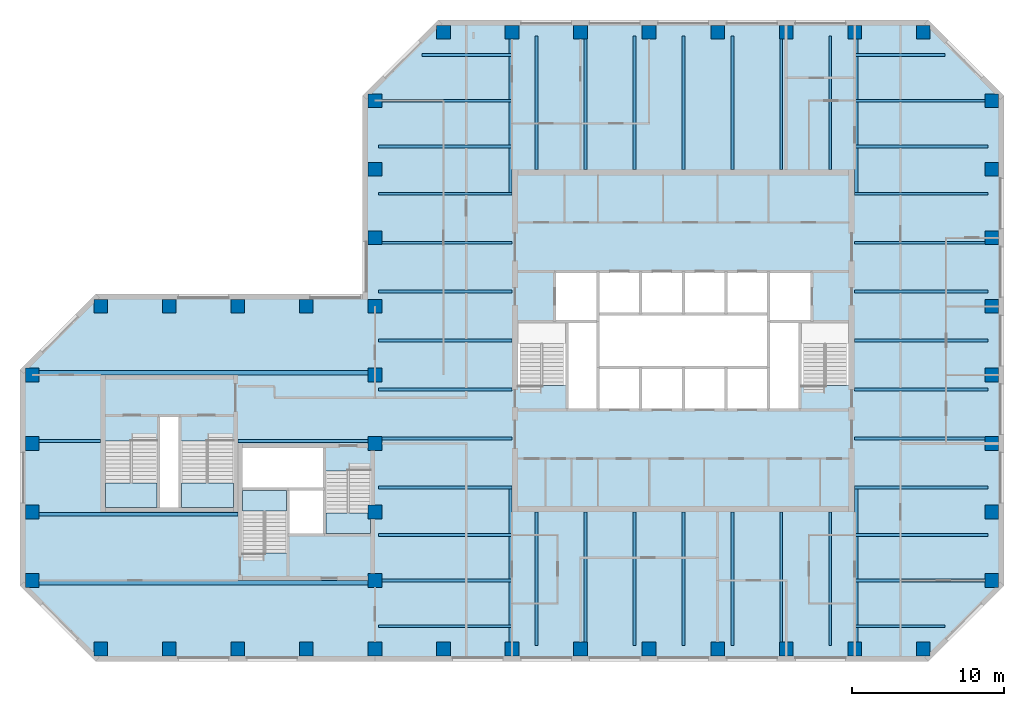
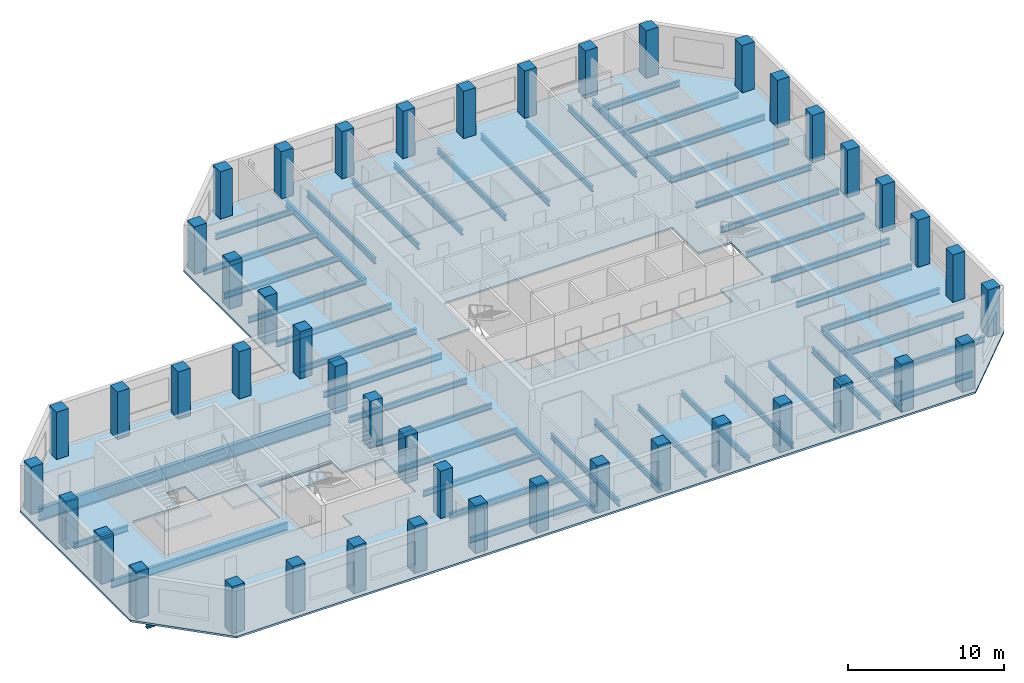
# One storey, part 1 of 8: 49 beams, 45 columns, 5 slabs, 4 elements without a shape of their own.
"""IFC4 building model written with IfcOpenShell, lengths in metres."""

from ifc_helpers import new_model, si_unit, direction, frame, origin, origin_2d, place, context, subcontext, project, spatial, polyline, rectangle, i_section, outline, extrude, material, layer, layer_set, material_profile, profile_set, type_object, element, aggregate, save


model = new_model("IFC4")

# Units and contexts
model_context = context("Model", 3, precision=1e-05, world=origin(), true_north=direction((0.0, 1.0)))
body_context = subcontext(model_context, "Body", "Model", "MODEL_VIEW")
ifc_project = project(units=[si_unit("LENGTHUNIT", "METRE"), si_unit("AREAUNIT", "SQUARE_METRE"), si_unit("VOLUMEUNIT", "CUBIC_METRE"), si_unit("PLANEANGLEUNIT", "RADIAN"), si_unit("MASSUNIT", "GRAM", prefix="KILO")], contexts=[model_context])

# Site, building, storey
site_placement = place(None, origin())
site = spatial("IfcSite", under=ifc_project, at=site_placement, CompositionType="ELEMENT")
building_placement = place(site_placement, origin())
building = spatial("IfcBuilding", under=site, at=building_placement, Name="Quoin Convention Tower", CompositionType="ELEMENT")
storey_placement = place(building_placement, frame((0.0, 0.0, 211.89990234375)))
storey = spatial("IfcBuildingStorey", under=building, at=storey_placement, Name="L55", CompositionType="ELEMENT", Elevation=211.89990234375)

# Columns
ifc_material_1 = material(Name="Concrete C50", Category="concrete")
ifc_material_profile_1 = material_profile(ifc_material_1, rectangle(XDim=0.89990234375, YDim=0.89990234375, at=origin_2d()), Name="RC 900x900")
ifc_profile_set_1 = profile_set([ifc_material_profile_1], Name="Concrete C50")
column_type = type_object("IfcColumnType", Name="RC 900x900 C50", PredefinedType="COLUMN", material=ifc_profile_set_1)
for number, where, z_axis, x_axis, name in (
    (1, (18.0, 40.5, 0.0), (0.0, 0.0, 1.0), (1.0, 0.0, 0.0), "col-L55-18000_40500"),
    (2, (22.5, 40.5, 0.0), (0.0, 0.0, 1.0), (1.0, 0.0, 0.0), "col-L55-22500_40500"),
    (3, (27.0, 40.5, 0.0), (0.0, 0.0, 1.0), (1.0, 0.0, 0.0), "col-L55-27000_40500"),
    (4, (31.5, 40.5, 0.0), (0.0, 0.0, 1.0), (1.0, 0.0, 0.0), "col-L55-31500_40500"),
    (5, (36.0, 40.5, 0.0), (0.0, 0.0, 1.0), (1.0, 0.0, 0.0), "col-L55-36000_40500"),
    (6, (40.5, 40.5, 0.0), (0.0, 0.0, 1.0), (1.0, 0.0, 0.0), "col-L55-40500_40500"),
    (7, (45.0, 40.5, 0.0), (0.0, 0.0, 1.0), (1.0, 0.0, 0.0), "col-L55-45000_40500"),
    (8, (49.5, 40.5, 0.0), (0.0, 0.0, 1.0), (1.0, 0.0, 0.0), "col-L55-49500_40500"),
    (9, (54.0, 40.5, 0.0), (0.0, 0.0, 1.0), (1.0, 0.0, 0.0), "col-L55-54000_40500"),
    (10, (58.5, 40.5, 0.0), (0.0, 0.0, 1.0), (1.0, 0.0, 0.0), "col-L55-58500_40500"),
    (11, (63.0, 40.5, 0.0), (0.0, 0.0, 1.0), (1.0, 0.0, 0.0), "col-L55-63000_40500"),
    (12, (67.5, 40.5, 0.0), (0.0, 0.0, 1.0), (1.0, 0.0, 0.0), "col-L55-67500_40500"),
    (13, (72.0, 40.5, 0.0), (0.0, 0.0, 1.0), (1.0, 0.0, 0.0), "col-L55-72000_40500"),
    (14, (13.5, 45.0, 0.0), (0.0, 0.0, 1.0), (1.0, 0.0, 0.0), "col-L55-13500_45000"),
    (15, (36.0, 45.0, 0.0), (0.0, 0.0, 1.0), (1.0, 0.0, 0.0), "web-L55-36000_45000"),
    (16, (76.5, 45.0, 0.0), (0.0, 0.0, 1.0), (1.0, 0.0, 0.0), "col-L55-76500_45000"),
    (17, (13.5, 49.5, 0.0), (0.0, 0.0, 1.0), (1.0, 0.0, 0.0), "col-L55-13500_49500"),
    (18, (36.0, 49.5, 0.0), (0.0, 0.0, 1.0), (1.0, 0.0, 0.0), "web-L55-36000_49500"),
    (19, (76.5, 49.5, 0.0), (0.0, 0.0, 1.0), (1.0, 0.0, 0.0), "col-L55-76500_49500"),
    (20, (13.5, 54.0, 0.0), (0.0, 0.0, 1.0), (1.0, 0.0, 0.0), "col-L55-13500_54000"),
    (21, (36.0, 54.0, 0.0), (0.0, 0.0, 1.0), (1.0, 0.0, 0.0), "web-L55-36000_54000"),
    (22, (76.5, 54.0, 0.0), (0.0, 0.0, 1.0), (1.0, 0.0, 0.0), "col-L55-76500_54000"),
    (23, (13.5, 58.5, 0.0), (0.0, 0.0, 1.0), (1.0, 0.0, 0.0), "col-L55-13500_58500"),
    (24, (36.0, 58.5, 0.0), (0.0, 0.0, 1.0), (1.0, 0.0, 0.0), "web-L55-36000_58500"),
    (25, (76.5, 58.5, 0.0), (0.0, 0.0, 1.0), (1.0, 0.0, 0.0), "col-L55-76500_58500"),
    (26, (18.0, 63.0, 0.0), (0.0, 0.0, 1.0), (1.0, 0.0, 0.0), "col-L55-18000_63000"),
    (27, (22.5, 63.0, 0.0), (0.0, 0.0, 1.0), (1.0, 0.0, 0.0), "col-L55-22500_63000"),
    (28, (27.0, 63.0, 0.0), (0.0, 0.0, 1.0), (1.0, 0.0, 0.0), "col-L55-27000_63000"),
    (29, (31.5, 63.0, 0.0), (0.0, 0.0, 1.0), (1.0, 0.0, 0.0), "col-L55-31500_63000"),
    (30, (36.0, 63.0, 0.0), (0.0, 0.0, 1.0), (1.0, 0.0, 0.0), "col-L55-36000_63000"),
    (31, (76.5, 63.0, 0.0), (0.0, 0.0, 1.0), (1.0, 0.0, 0.0), "col-L55-76500_63000"),
    (32, (36.0, 67.5, 0.0), (0.0, 0.0, 1.0), (1.0, 0.0, 0.0), "col-L55-36000_67500"),
    (33, (76.5, 67.5, 0.0), (0.0, 0.0, 1.0), (1.0, 0.0, 0.0), "col-L55-76500_67500"),
    (34, (36.0, 72.0, 0.0), (0.0, 0.0, 1.0), (1.0, 0.0, 0.0), "col-L55-36000_72000"),
    (35, (76.5, 72.0, 0.0), (0.0, 0.0, 1.0), (1.0, 0.0, 0.0), "col-L55-76500_72000"),
    (36, (36.0, 76.5, 0.0), (0.0, 0.0, 1.0), (1.0, 0.0, 0.0), "col-L55-36000_76500"),
    (37, (76.5, 76.5, 0.0), (0.0, 0.0, 1.0), (1.0, 0.0, 0.0), "col-L55-76500_76500"),
    (38, (40.5, 81.0, 0.0), (0.0, 0.0, 1.0), (1.0, 0.0, 0.0), "col-L55-40500_81000"),
    (39, (45.0, 81.0, 0.0), (0.0, 0.0, 1.0), (1.0, 0.0, 0.0), "col-L55-45000_81000"),
    (40, (49.5, 81.0, 0.0), (0.0, 0.0, 1.0), (1.0, 0.0, 0.0), "col-L55-49500_81000"),
    (41, (54.0, 81.0, 0.0), (0.0, 0.0, 1.0), (1.0, 0.0, 0.0), "col-L55-54000_81000"),
    (42, (58.5, 81.0, 0.0), (0.0, 0.0, 1.0), (1.0, 0.0, 0.0), "col-L55-58500_81000"),
    (43, (63.0, 81.0, 0.0), (0.0, 0.0, 1.0), (1.0, 0.0, 0.0), "col-L55-63000_81000"),
    (44, (67.5, 81.0, 0.0), (0.0, 0.0, 1.0), (1.0, 0.0, 0.0), "col-L55-67500_81000"),
    (45, (72.0, 81.0, 0.0), (0.0, 0.0, 1.0), (1.0, 0.0, 0.0), "col-L55-72000_81000"),
):
    element("IfcColumn", number, at=place(storey_placement, frame(where, z_axis=z_axis, x_axis=x_axis)), inside=storey, type_object=column_type, Name=name, PredefinedType="COLUMN", context=body_context, shape_type="SweptSolid", body=[
        extrude(rectangle(XDim=0.89990234375, YDim=0.89990234375, at=origin_2d()), origin(), (0.0, 0.0, 1.0), 3.7001953125),
    ])

# Beams
ifc_material_2 = material(Name="Steel Grade 300", Category="steel")
ifc_material_profile_2 = material_profile(ifc_material_2, i_section(OverallWidth=0.300048828125, OverallDepth=1.0, WebThickness=0.01611328125, FlangeThickness=0.02001953125, at=origin_2d()), Name="1000WB215")
ifc_profile_set_2 = profile_set([ifc_material_profile_2], Name="Steel Grade 300")
beam_type_1 = type_object("IfcBeamType", Name="1000WB215", PredefinedType="BEAM", material=ifc_profile_set_2)
for number, where, z_axis, x_axis, name in (
    (46, (13.949951171875, 44.85009765625, -0.64990234375), (1.0, 0.0, 0.0), (0.0, 1.0, 0.0), "gir-L55-ST2-1-0"),
    (47, (13.949951171875, 58.64990234375, -0.64990234375), (1.0, 0.0, 0.0), (0.0, 1.0, 0.0), "gir-L55-ST2-4-0"),
):
    element("IfcBeam", number, at=place(storey_placement, frame(where, z_axis=z_axis, x_axis=x_axis)), inside=storey, type_object=beam_type_1, Name=name, PredefinedType="BEAM", context=body_context, shape_type="SweptSolid", body=[
        extrude(i_section(OverallWidth=0.300048828125, OverallDepth=1.0, WebThickness=0.01611328125, FlangeThickness=0.02001953125, at=origin_2d()), origin(), (0.0, 0.0, 1.0), 21.60009765625),
    ])
ifc_material_profile_3 = material_profile(ifc_material_2, i_section(OverallWidth=0.18994140625, OverallDepth=0.4541015625, WebThickness=0.008544921875, FlangeThickness=0.0126953125, FilletRadius=0.011474609375, at=origin_2d()), Name="460UB67.1")
ifc_profile_set_3 = profile_set([ifc_material_profile_3], Name="Steel Grade 300")
beam_type_2 = type_object("IfcBeamType", Name="460UB67.1", PredefinedType="BEAM", material=ifc_profile_set_3)
beam_1_placement = place(storey_placement, frame((36.25, 51.107177734375, -0.376953125), z_axis=(1.0, 0.0, 0.0), x_axis=(0.0, 1.0, 0.0)))
element("IfcBeam", 48, at=beam_1_placement, inside=storey, type_object=beam_type_2, Name="bm-L55-T1W0", PredefinedType="BEAM", context=body_context, shape_type="SweptSolid", body=[
    extrude(i_section(OverallWidth=0.18994140625, OverallDepth=0.4541015625, WebThickness=0.008544921875, FlangeThickness=0.0126953125, FilletRadius=0.011474609375, at=origin_2d()), origin(), (0.0, 0.0, 1.0), 8.75),
])
beam_2_placement = place(storey_placement, frame((36.449951171875, 54.3212890625, -0.376953125), z_axis=(1.0, 0.0, 0.0), x_axis=(0.0, 1.0, 0.0)))
element("IfcBeam", 49, at=beam_2_placement, inside=storey, type_object=beam_type_2, Name="bm-L55-T1W1", PredefinedType="BEAM", context=body_context, shape_type="SweptSolid", body=[
    extrude(i_section(OverallWidth=0.18994140625, OverallDepth=0.4541015625, WebThickness=0.008544921875, FlangeThickness=0.0126953125, FilletRadius=0.011474609375, at=origin_2d()), origin(), (0.0, 0.0, 1.0), 8.550048828125),
])
for number, where, z_axis, x_axis, name in (
    (50, (36.25, 57.53564453125, -0.376953125), (1.0, 0.0, 0.0), (0.0, 1.0, 0.0), "bm-L55-T1W2"),
    (51, (36.25, 60.75, -0.376953125), (1.0, 0.0, 0.0), (0.0, 1.0, 0.0), "bm-L55-T1W3"),
    (52, (36.25, 63.96435546875, -0.376953125), (1.0, 0.0, 0.0), (0.0, 1.0, 0.0), "bm-L55-T1W4"),
):
    element("IfcBeam", number, at=place(storey_placement, frame(where, z_axis=z_axis, x_axis=x_axis)), inside=storey, type_object=beam_type_2, Name=name, PredefinedType="BEAM", context=body_context, shape_type="SweptSolid", body=[
        extrude(i_section(OverallWidth=0.18994140625, OverallDepth=0.4541015625, WebThickness=0.008544921875, FlangeThickness=0.0126953125, FilletRadius=0.011474609375, at=origin_2d()), origin(), (0.0, 0.0, 1.0), 8.75),
    ])
beam_3_placement = place(storey_placement, frame((36.449951171875, 67.1787109375, -0.376953125), z_axis=(1.0, 0.0, 0.0), x_axis=(0.0, 1.0, 0.0)))
element("IfcBeam", 53, at=beam_3_placement, inside=storey, type_object=beam_type_2, Name="bm-L55-T1W5", PredefinedType="BEAM", context=body_context, shape_type="SweptSolid", body=[
    extrude(i_section(OverallWidth=0.18994140625, OverallDepth=0.4541015625, WebThickness=0.008544921875, FlangeThickness=0.0126953125, FilletRadius=0.011474609375, at=origin_2d()), origin(), (0.0, 0.0, 1.0), 8.550048828125),
])
for number, where, z_axis, x_axis, name in (
    (54, (36.25, 70.392822265625, -0.376953125), (1.0, 0.0, 0.0), (0.0, 1.0, 0.0), "bm-L55-T1W6"),
    (55, (67.5, 51.107177734375, -0.376953125), (1.0, 0.0, 0.0), (0.0, 1.0, 0.0), "bm-L55-T1E0"),
):
    element("IfcBeam", number, at=place(storey_placement, frame(where, z_axis=z_axis, x_axis=x_axis)), inside=storey, type_object=beam_type_2, Name=name, PredefinedType="BEAM", context=body_context, shape_type="SweptSolid", body=[
        extrude(i_section(OverallWidth=0.18994140625, OverallDepth=0.4541015625, WebThickness=0.008544921875, FlangeThickness=0.0126953125, FilletRadius=0.011474609375, at=origin_2d()), origin(), (0.0, 0.0, 1.0), 8.75),
    ])
beam_4_placement = place(storey_placement, frame((67.5, 54.3212890625, -0.376953125), z_axis=(1.0, 0.0, 0.0), x_axis=(0.0, 1.0, 0.0)))
element("IfcBeam", 56, at=beam_4_placement, inside=storey, type_object=beam_type_2, Name="bm-L55-T1E1", PredefinedType="BEAM", context=body_context, shape_type="SweptSolid", body=[
    extrude(i_section(OverallWidth=0.18994140625, OverallDepth=0.4541015625, WebThickness=0.008544921875, FlangeThickness=0.0126953125, FilletRadius=0.011474609375, at=origin_2d()), origin(), (0.0, 0.0, 1.0), 8.550048828125),
])
for number, where, z_axis, x_axis, name in (
    (57, (67.5, 57.53564453125, -0.376953125), (1.0, 0.0, 0.0), (0.0, 1.0, 0.0), "bm-L55-T1E2"),
    (58, (67.5, 60.75, -0.376953125), (1.0, 0.0, 0.0), (0.0, 1.0, 0.0), "bm-L55-T1E3"),
    (59, (67.5, 63.96435546875, -0.376953125), (1.0, 0.0, 0.0), (0.0, 1.0, 0.0), "bm-L55-T1E4"),
):
    element("IfcBeam", number, at=place(storey_placement, frame(where, z_axis=z_axis, x_axis=x_axis)), inside=storey, type_object=beam_type_2, Name=name, PredefinedType="BEAM", context=body_context, shape_type="SweptSolid", body=[
        extrude(i_section(OverallWidth=0.18994140625, OverallDepth=0.4541015625, WebThickness=0.008544921875, FlangeThickness=0.0126953125, FilletRadius=0.011474609375, at=origin_2d()), origin(), (0.0, 0.0, 1.0), 8.75),
    ])
beam_5_placement = place(storey_placement, frame((67.5, 67.1787109375, -0.376953125), z_axis=(1.0, 0.0, 0.0), x_axis=(0.0, 1.0, 0.0)))
element("IfcBeam", 60, at=beam_5_placement, inside=storey, type_object=beam_type_2, Name="bm-L55-T1E5", PredefinedType="BEAM", context=body_context, shape_type="SweptSolid", body=[
    extrude(i_section(OverallWidth=0.18994140625, OverallDepth=0.4541015625, WebThickness=0.008544921875, FlangeThickness=0.0126953125, FilletRadius=0.011474609375, at=origin_2d()), origin(), (0.0, 0.0, 1.0), 8.550048828125),
])
for number, where, z_axis, x_axis, name in (
    (61, (67.5, 70.392822265625, -0.376953125), (1.0, 0.0, 0.0), (0.0, 1.0, 0.0), "bm-L55-T1E6"),
    (62, (46.607177734375, 40.75, -0.376953125), (0.0, 1.0, 0.0), (-1.0, 0.0, 0.0), "bm-L55-T1S0"),
):
    element("IfcBeam", number, at=place(storey_placement, frame(where, z_axis=z_axis, x_axis=x_axis)), inside=storey, type_object=beam_type_2, Name=name, PredefinedType="BEAM", context=body_context, shape_type="SweptSolid", body=[
        extrude(i_section(OverallWidth=0.18994140625, OverallDepth=0.4541015625, WebThickness=0.008544921875, FlangeThickness=0.0126953125, FilletRadius=0.011474609375, at=origin_2d()), origin(), (0.0, 0.0, 1.0), 8.75),
    ])
beam_6_placement = place(storey_placement, frame((49.8212890625, 40.949951171875, -0.376953125), z_axis=(0.0, 1.0, 0.0), x_axis=(-1.0, 0.0, 0.0)))
element("IfcBeam", 63, at=beam_6_placement, inside=storey, type_object=beam_type_2, Name="bm-L55-T1S1", PredefinedType="BEAM", context=body_context, shape_type="SweptSolid", body=[
    extrude(i_section(OverallWidth=0.18994140625, OverallDepth=0.4541015625, WebThickness=0.008544921875, FlangeThickness=0.0126953125, FilletRadius=0.011474609375, at=origin_2d()), origin(), (0.0, 0.0, 1.0), 8.550048828125),
])
for number, where, z_axis, x_axis, name in (
    (64, (53.03564453125, 40.75, -0.376953125), (0.0, 1.0, 0.0), (-1.0, 0.0, 0.0), "bm-L55-T1S2"),
    (65, (56.25, 40.75, -0.376953125), (0.0, 1.0, 0.0), (-1.0, 0.0, 0.0), "bm-L55-T1S3"),
    (66, (59.46435546875, 40.75, -0.376953125), (0.0, 1.0, 0.0), (-1.0, 0.0, 0.0), "bm-L55-T1S4"),
):
    element("IfcBeam", number, at=place(storey_placement, frame(where, z_axis=z_axis, x_axis=x_axis)), inside=storey, type_object=beam_type_2, Name=name, PredefinedType="BEAM", context=body_context, shape_type="SweptSolid", body=[
        extrude(i_section(OverallWidth=0.18994140625, OverallDepth=0.4541015625, WebThickness=0.008544921875, FlangeThickness=0.0126953125, FilletRadius=0.011474609375, at=origin_2d()), origin(), (0.0, 0.0, 1.0), 8.75),
    ])
beam_7_placement = place(storey_placement, frame((62.6787109375, 40.949951171875, -0.376953125), z_axis=(0.0, 1.0, 0.0), x_axis=(-1.0, 0.0, 0.0)))
element("IfcBeam", 67, at=beam_7_placement, inside=storey, type_object=beam_type_2, Name="bm-L55-T1S5", PredefinedType="BEAM", context=body_context, shape_type="SweptSolid", body=[
    extrude(i_section(OverallWidth=0.18994140625, OverallDepth=0.4541015625, WebThickness=0.008544921875, FlangeThickness=0.0126953125, FilletRadius=0.011474609375, at=origin_2d()), origin(), (0.0, 0.0, 1.0), 8.550048828125),
])
for number, where, z_axis, x_axis, name in (
    (68, (65.892822265625, 40.75, -0.376953125), (0.0, 1.0, 0.0), (-1.0, 0.0, 0.0), "bm-L55-T1S6"),
    (69, (46.607177734375, 72.0, -0.376953125), (0.0, 1.0, 0.0), (-1.0, 0.0, 0.0), "bm-L55-T1N0"),
):
    element("IfcBeam", number, at=place(storey_placement, frame(where, z_axis=z_axis, x_axis=x_axis)), inside=storey, type_object=beam_type_2, Name=name, PredefinedType="BEAM", context=body_context, shape_type="SweptSolid", body=[
        extrude(i_section(OverallWidth=0.18994140625, OverallDepth=0.4541015625, WebThickness=0.008544921875, FlangeThickness=0.0126953125, FilletRadius=0.011474609375, at=origin_2d()), origin(), (0.0, 0.0, 1.0), 8.75),
    ])
beam_8_placement = place(storey_placement, frame((49.8212890625, 72.0, -0.376953125), z_axis=(0.0, 1.0, 0.0), x_axis=(-1.0, 0.0, 0.0)))
element("IfcBeam", 70, at=beam_8_placement, inside=storey, type_object=beam_type_2, Name="bm-L55-T1N1", PredefinedType="BEAM", context=body_context, shape_type="SweptSolid", body=[
    extrude(i_section(OverallWidth=0.18994140625, OverallDepth=0.4541015625, WebThickness=0.008544921875, FlangeThickness=0.0126953125, FilletRadius=0.011474609375, at=origin_2d()), origin(), (0.0, 0.0, 1.0), 8.550048828125),
])
for number, where, z_axis, x_axis, name in (
    (71, (53.03564453125, 72.0, -0.376953125), (0.0, 1.0, 0.0), (-1.0, 0.0, 0.0), "bm-L55-T1N2"),
    (72, (56.25, 72.0, -0.376953125), (0.0, 1.0, 0.0), (-1.0, 0.0, 0.0), "bm-L55-T1N3"),
    (73, (59.46435546875, 72.0, -0.376953125), (0.0, 1.0, 0.0), (-1.0, 0.0, 0.0), "bm-L55-T1N4"),
):
    element("IfcBeam", number, at=place(storey_placement, frame(where, z_axis=z_axis, x_axis=x_axis)), inside=storey, type_object=beam_type_2, Name=name, PredefinedType="BEAM", context=body_context, shape_type="SweptSolid", body=[
        extrude(i_section(OverallWidth=0.18994140625, OverallDepth=0.4541015625, WebThickness=0.008544921875, FlangeThickness=0.0126953125, FilletRadius=0.011474609375, at=origin_2d()), origin(), (0.0, 0.0, 1.0), 8.75),
    ])
beam_9_placement = place(storey_placement, frame((62.6787109375, 72.0, -0.376953125), z_axis=(0.0, 1.0, 0.0), x_axis=(-1.0, 0.0, 0.0)))
element("IfcBeam", 74, at=beam_9_placement, inside=storey, type_object=beam_type_2, Name="bm-L55-T1N5", PredefinedType="BEAM", context=body_context, shape_type="SweptSolid", body=[
    extrude(i_section(OverallWidth=0.18994140625, OverallDepth=0.4541015625, WebThickness=0.008544921875, FlangeThickness=0.0126953125, FilletRadius=0.011474609375, at=origin_2d()), origin(), (0.0, 0.0, 1.0), 8.550048828125),
])
for number, where, z_axis, x_axis, name in (
    (75, (65.892822265625, 72.0, -0.376953125), (0.0, 1.0, 0.0), (-1.0, 0.0, 0.0), "bm-L55-T1N6"),
    (76, (36.25, 42.0, -0.376953125), (1.0, 0.0, 0.0), (0.0, 1.0, 0.0), "bm-L55-T1SW0"),
):
    element("IfcBeam", number, at=place(storey_placement, frame(where, z_axis=z_axis, x_axis=x_axis)), inside=storey, type_object=beam_type_2, Name=name, PredefinedType="BEAM", context=body_context, shape_type="SweptSolid", body=[
        extrude(i_section(OverallWidth=0.18994140625, OverallDepth=0.4541015625, WebThickness=0.008544921875, FlangeThickness=0.0126953125, FilletRadius=0.011474609375, at=origin_2d()), origin(), (0.0, 0.0, 1.0), 8.75),
    ])
beam_10_placement = place(storey_placement, frame((36.449951171875, 45.0, -0.376953125), z_axis=(1.0, 0.0, 0.0), x_axis=(0.0, 1.0, 0.0)))
element("IfcBeam", 77, at=beam_10_placement, inside=storey, type_object=beam_type_2, Name="bm-L55-T1SW1", PredefinedType="BEAM", context=body_context, shape_type="SweptSolid", body=[
    extrude(i_section(OverallWidth=0.18994140625, OverallDepth=0.4541015625, WebThickness=0.008544921875, FlangeThickness=0.0126953125, FilletRadius=0.011474609375, at=origin_2d()), origin(), (0.0, 0.0, 1.0), 8.550048828125),
])
beam_11_placement = place(storey_placement, frame((36.25, 48.0, -0.376953125), z_axis=(1.0, 0.0, 0.0), x_axis=(0.0, 1.0, 0.0)))
element("IfcBeam", 78, at=beam_11_placement, inside=storey, type_object=beam_type_2, Name="bm-L55-T1SW2", PredefinedType="BEAM", context=body_context, shape_type="SweptSolid", body=[
    extrude(i_section(OverallWidth=0.18994140625, OverallDepth=0.4541015625, WebThickness=0.008544921875, FlangeThickness=0.0126953125, FilletRadius=0.011474609375, at=origin_2d()), origin(), (0.0, 0.0, 1.0), 8.75),
])
beam_12_placement = place(storey_placement, frame((67.5, 42.0, -0.376953125), z_axis=(1.0, 0.0, 0.0), x_axis=(0.0, 1.0, 0.0)))
element("IfcBeam", 79, at=beam_12_placement, inside=storey, type_object=beam_type_2, Name="bm-L55-T1SE0", PredefinedType="BEAM", context=body_context, shape_type="SweptSolid", body=[
    extrude(i_section(OverallWidth=0.18994140625, OverallDepth=0.4541015625, WebThickness=0.008544921875, FlangeThickness=0.0126953125, FilletRadius=0.011474609375, at=origin_2d()), origin(), (0.0, 0.0, 1.0), 5.918212890625),
])
beam_13_placement = place(storey_placement, frame((67.5, 45.0, -0.376953125), z_axis=(1.0, 0.0, 0.0), x_axis=(0.0, 1.0, 0.0)))
element("IfcBeam", 80, at=beam_13_placement, inside=storey, type_object=beam_type_2, Name="bm-L55-T1SE1", PredefinedType="BEAM", context=body_context, shape_type="SweptSolid", body=[
    extrude(i_section(OverallWidth=0.18994140625, OverallDepth=0.4541015625, WebThickness=0.008544921875, FlangeThickness=0.0126953125, FilletRadius=0.011474609375, at=origin_2d()), origin(), (0.0, 0.0, 1.0), 8.550048828125),
])
beam_14_placement = place(storey_placement, frame((67.5, 48.0, -0.376953125), z_axis=(1.0, 0.0, 0.0), x_axis=(0.0, 1.0, 0.0)))
element("IfcBeam", 81, at=beam_14_placement, inside=storey, type_object=beam_type_2, Name="bm-L55-T1SE2", PredefinedType="BEAM", context=body_context, shape_type="SweptSolid", body=[
    extrude(i_section(OverallWidth=0.18994140625, OverallDepth=0.4541015625, WebThickness=0.008544921875, FlangeThickness=0.0126953125, FilletRadius=0.011474609375, at=origin_2d()), origin(), (0.0, 0.0, 1.0), 8.75),
])
beam_15_placement = place(storey_placement, frame((39.081787109375, 79.5, -0.376953125), z_axis=(1.0, 0.0, 0.0), x_axis=(0.0, 1.0, 0.0)))
element("IfcBeam", 82, at=beam_15_placement, inside=storey, type_object=beam_type_2, Name="bm-L55-T1NW0", PredefinedType="BEAM", context=body_context, shape_type="SweptSolid", body=[
    extrude(i_section(OverallWidth=0.18994140625, OverallDepth=0.4541015625, WebThickness=0.008544921875, FlangeThickness=0.0126953125, FilletRadius=0.011474609375, at=origin_2d()), origin(), (0.0, 0.0, 1.0), 5.918212890625),
])
beam_16_placement = place(storey_placement, frame((36.449951171875, 76.5, -0.376953125), z_axis=(1.0, 0.0, 0.0), x_axis=(0.0, 1.0, 0.0)))
element("IfcBeam", 83, at=beam_16_placement, inside=storey, type_object=beam_type_2, Name="bm-L55-T1NW1", PredefinedType="BEAM", context=body_context, shape_type="SweptSolid", body=[
    extrude(i_section(OverallWidth=0.18994140625, OverallDepth=0.4541015625, WebThickness=0.008544921875, FlangeThickness=0.0126953125, FilletRadius=0.011474609375, at=origin_2d()), origin(), (0.0, 0.0, 1.0), 8.550048828125),
])
beam_17_placement = place(storey_placement, frame((36.25, 73.5, -0.376953125), z_axis=(1.0, 0.0, 0.0), x_axis=(0.0, 1.0, 0.0)))
element("IfcBeam", 84, at=beam_17_placement, inside=storey, type_object=beam_type_2, Name="bm-L55-T1NW2", PredefinedType="BEAM", context=body_context, shape_type="SweptSolid", body=[
    extrude(i_section(OverallWidth=0.18994140625, OverallDepth=0.4541015625, WebThickness=0.008544921875, FlangeThickness=0.0126953125, FilletRadius=0.011474609375, at=origin_2d()), origin(), (0.0, 0.0, 1.0), 8.75),
])
beam_18_placement = place(storey_placement, frame((67.5, 79.5, -0.376953125), z_axis=(1.0, 0.0, 0.0), x_axis=(0.0, 1.0, 0.0)))
element("IfcBeam", 85, at=beam_18_placement, inside=storey, type_object=beam_type_2, Name="bm-L55-T1NE0", PredefinedType="BEAM", context=body_context, shape_type="SweptSolid", body=[
    extrude(i_section(OverallWidth=0.18994140625, OverallDepth=0.4541015625, WebThickness=0.008544921875, FlangeThickness=0.0126953125, FilletRadius=0.011474609375, at=origin_2d()), origin(), (0.0, 0.0, 1.0), 5.918212890625),
])
beam_19_placement = place(storey_placement, frame((67.5, 76.5, -0.376953125), z_axis=(1.0, 0.0, 0.0), x_axis=(0.0, 1.0, 0.0)))
element("IfcBeam", 86, at=beam_19_placement, inside=storey, type_object=beam_type_2, Name="bm-L55-T1NE1", PredefinedType="BEAM", context=body_context, shape_type="SweptSolid", body=[
    extrude(i_section(OverallWidth=0.18994140625, OverallDepth=0.4541015625, WebThickness=0.008544921875, FlangeThickness=0.0126953125, FilletRadius=0.011474609375, at=origin_2d()), origin(), (0.0, 0.0, 1.0), 8.550048828125),
])
beam_20_placement = place(storey_placement, frame((67.5, 73.5, -0.376953125), z_axis=(1.0, 0.0, 0.0), x_axis=(0.0, 1.0, 0.0)))
element("IfcBeam", 87, at=beam_20_placement, inside=storey, type_object=beam_type_2, Name="bm-L55-T1NE2", PredefinedType="BEAM", context=body_context, shape_type="SweptSolid", body=[
    extrude(i_section(OverallWidth=0.18994140625, OverallDepth=0.4541015625, WebThickness=0.008544921875, FlangeThickness=0.0126953125, FilletRadius=0.011474609375, at=origin_2d()), origin(), (0.0, 0.0, 1.0), 8.75),
])
beam_21_placement = place(storey_placement, frame((13.949951171875, 54.14990234375, -0.376953125), z_axis=(1.0, 0.0, 0.0), x_axis=(0.0, 1.0, 0.0)))
element("IfcBeam", 88, at=beam_21_placement, inside=storey, type_object=beam_type_2, Name="gir-L55-ST2-3-0", PredefinedType="BEAM", context=body_context, shape_type="SweptSolid", body=[
    extrude(i_section(OverallWidth=0.18994140625, OverallDepth=0.4541015625, WebThickness=0.008544921875, FlangeThickness=0.0126953125, FilletRadius=0.011474609375, at=origin_2d()), origin(), (0.0, 0.0, 1.0), 4.050048828125),
])
beam_22_placement = place(storey_placement, frame((27.0, 54.14990234375, -0.376953125), z_axis=(1.0, 0.0, 0.0), x_axis=(0.0, 1.0, 0.0)))
element("IfcBeam", 89, at=beam_22_placement, inside=storey, type_object=beam_type_2, Name="gir-L55-ST2-3-1", PredefinedType="BEAM", context=body_context, shape_type="SweptSolid", body=[
    extrude(i_section(OverallWidth=0.18994140625, OverallDepth=0.4541015625, WebThickness=0.008544921875, FlangeThickness=0.0126953125, FilletRadius=0.011474609375, at=origin_2d()), origin(), (0.0, 0.0, 1.0), 8.550048828125),
])
ifc_material_profile_4 = material_profile(ifc_material_2, i_section(OverallWidth=0.208984375, OverallDepth=0.528076171875, WebThickness=0.009521484375, FlangeThickness=0.01318359375, FilletRadius=0.013916015625, at=origin_2d()), Name="530UB82.0")
ifc_profile_set_4 = profile_set([ifc_material_profile_4], Name="Steel Grade 300")
beam_type_3 = type_object("IfcBeamType", Name="530UB82.0", PredefinedType="BEAM", material=ifc_profile_set_4)
for number, where, z_axis, x_axis, name in (
    (90, (44.904541015625, 40.949951171875, -0.413818359375), (0.0, 1.0, 0.0), (-1.0, 0.0, 0.0), "gir-L55-T1SW"),
    (91, (67.595458984375, 40.949951171875, -0.413818359375), (0.0, 1.0, 0.0), (-1.0, 0.0, 0.0), "gir-L55-T1SE"),
    (92, (44.904541015625, 80.550048828125, -0.413818359375), (0.0, -1.0, 0.0), (1.0, 0.0, 0.0), "gir-L55-T1NW"),
    (93, (67.595458984375, 80.550048828125, -0.413818359375), (0.0, -1.0, 0.0), (1.0, 0.0, 0.0), "gir-L55-T1NE"),
):
    element("IfcBeam", number, at=place(storey_placement, frame(where, z_axis=z_axis, x_axis=x_axis)), inside=storey, type_object=beam_type_3, Name=name, PredefinedType="BEAM", context=body_context, shape_type="SweptSolid", body=[
        extrude(i_section(OverallWidth=0.208984375, OverallDepth=0.528076171875, WebThickness=0.009521484375, FlangeThickness=0.01318359375, FilletRadius=0.013916015625, at=origin_2d()), origin(), (0.0, 0.0, 1.0), 10.062255859375),
    ])
ifc_material_profile_5 = material_profile(ifc_material_2, i_section(OverallWidth=0.22802734375, OverallDepth=0.60205078125, WebThickness=0.010498046875, FlangeThickness=0.014892578125, FilletRadius=0.013916015625, at=origin_2d()), Name="610UB101")
ifc_profile_set_5 = profile_set([ifc_material_profile_5], Name="Steel Grade 300")
beam_type_4 = type_object("IfcBeamType", Name="610UB101", PredefinedType="BEAM", material=ifc_profile_set_5)
beam_23_placement = place(storey_placement, frame((13.949951171875, 49.35009765625, -0.450927734375), z_axis=(1.0, 0.0, 0.0), x_axis=(0.0, 1.0, 0.0)))
element("IfcBeam", 94, at=beam_23_placement, inside=storey, type_object=beam_type_4, Name="gir-L55-ST2-2-0", PredefinedType="BEAM", context=body_context, shape_type="SweptSolid", body=[
    extrude(i_section(OverallWidth=0.22802734375, OverallDepth=0.60205078125, WebThickness=0.010498046875, FlangeThickness=0.014892578125, FilletRadius=0.013916015625, at=origin_2d()), origin(), (0.0, 0.0, 1.0), 13.050048828125),
])

# Slab
ifc_material_3 = material(Name="Concrete C40", Category="concrete")
ifc_layer_1 = layer(ifc_material_3, 0.14990234375)
ifc_layer_set_1 = layer_set([ifc_layer_1], Name="Concrete C40")
slab_type_1 = type_object("IfcSlabType", Name="COMPOSITE SLAB 150 C40", PredefinedType="FLOOR", material=ifc_layer_set_1)
slab_1_placement = place(storey_placement, frame((0.0, 0.0, -0.14990234375)))
element("IfcSlab", 95, at=slab_1_placement, inside=storey, type_object=slab_type_1, Name="slb-L55", PredefinedType="FLOOR", context=body_context, shape_type="SweptSolid", body=[
    extrude(outline(polyline([(17.668701171875, 39.699951171875), (12.699951171875, 44.668701171875), (12.699951171875, 58.831298828125), (17.668701171875, 63.800048828125), (35.199951171875, 63.800048828125), (35.199951171875, 76.831298828125), (40.168701171875, 81.800048828125), (72.331298828125, 81.800048828125), (77.300048828125, 76.831298828125), (77.300048828125, 44.668701171875), (72.331298828125, 39.699951171875), (17.668701171875, 39.699951171875)]), holes=[polyline([(27.300048828125, 51.0), (27.300048828125, 46.800537109375), (30.300048828125, 46.800537109375), (30.300048828125, 48.0), (32.699951171875, 48.0), (35.699951171875, 48.0), (35.699951171875, 52.199462890625), (32.699951171875, 52.199462890625), (32.699951171875, 53.699951171875), (27.300048828125, 53.699951171875), (27.300048828125, 51.0)]), polyline([(18.300048828125, 49.800048828125), (21.800048828125, 49.800048828125), (23.199951171875, 49.800048828125), (26.699951171875, 49.800048828125), (26.699951171875, 54.1494140625), (23.199951171875, 54.1494140625), (23.199951171875, 55.85009765625), (21.800048828125, 55.85009765625), (21.800048828125, 54.1494140625), (18.300048828125, 54.1494140625), (18.300048828125, 49.800048828125)]), polyline([(48.60009765625, 56.199951171875), (50.64990234375, 56.199951171875), (53.449951171875, 56.199951171875), (56.25, 56.199951171875), (59.050048828125, 56.199951171875), (61.85009765625, 56.199951171875), (63.89990234375, 56.199951171875), (63.89990234375, 57.800537109375), (67.10009765625, 57.800537109375), (67.10009765625, 62.0), (64.699951171875, 62.0), (64.699951171875, 65.300048828125), (61.85009765625, 65.300048828125), (59.050048828125, 65.300048828125), (56.25, 65.300048828125), (53.449951171875, 65.300048828125), (50.64990234375, 65.300048828125), (47.800048828125, 65.300048828125), (47.800048828125, 62.0), (45.39990234375, 62.0), (45.39990234375, 57.800537109375), (48.60009765625, 57.800537109375), (48.60009765625, 56.199951171875)])]), origin(), (0.0, 0.0, 1.0), 0.14990234375),
])

# Stair, slab
stair_type_1 = type_object("IfcStairType", Name="Exit stair two-flight 1350", PredefinedType="HALF_TURN_STAIR", material=ifc_material_3)
stair_1_placement = place(storey_placement, origin())
stair_1 = element("IfcStair", 96, at=stair_1_placement, inside=storey, type_object=stair_type_1, Name="SD3 L55", PredefinedType="HALF_TURN_STAIR")
ifc_layer_2 = layer(ifc_material_3, 0.199951171875)
ifc_layer_set_2 = layer_set([ifc_layer_2], Name="Concrete C40")
slab_type_2 = type_object("IfcSlabType", Name="Stair landing 200", PredefinedType="LANDING", material=ifc_layer_set_2)
slab_2_placement = place(storey_placement, frame((0.0, 0.0, 1.79248046875)))
slab_2 = element("IfcSlab", 97, at=slab_2_placement, type_object=slab_type_2, Name="ST3 landing 1", PredefinedType="LANDING", context=body_context, shape_type="SweptSolid", body=[
    extrude(outline(polyline([(27.300048828125, 49.550048828125), (30.199951171875, 49.550048828125), (30.199951171875, 50.89990234375), (27.300048828125, 50.89990234375), (27.300048828125, 49.550048828125)])), origin(), (0.0, 0.0, 1.0), 0.199951171875),
])
aggregate(stair_1, [slab_2])

stair_2_placement = place(storey_placement, origin())
stair_2 = element("IfcStair", 98, at=stair_2_placement, inside=storey, type_object=stair_type_1, Name="SD4 L55", PredefinedType="HALF_TURN_STAIR")
slab_3_placement = place(storey_placement, frame((0.0, 0.0, 1.79248046875)))
slab_3 = element("IfcSlab", 99, at=slab_3_placement, type_object=slab_type_2, Name="ST4 landing 1", PredefinedType="LANDING", context=body_context, shape_type="SweptSolid", body=[
    extrude(outline(polyline([(35.699951171875, 49.449951171875), (32.800048828125, 49.449951171875), (32.800048828125, 48.10009765625), (35.699951171875, 48.10009765625), (35.699951171875, 49.449951171875)])), origin(), (0.0, 0.0, 1.0), 0.199951171875),
])
aggregate(stair_2, [slab_3])

stair_type_2 = type_object("IfcStairType", Name="Exit stair two-flight 1600", PredefinedType="HALF_TURN_STAIR", material=ifc_material_3)
stair_3_placement = place(storey_placement, origin())
stair_3 = element("IfcStair", 100, at=stair_3_placement, inside=storey, type_object=stair_type_2, Name="SD11 L55", PredefinedType="HALF_TURN_STAIR")
slab_4_placement = place(storey_placement, frame((0.0, 0.0, 1.79248046875)))
slab_4 = element("IfcSlab", 101, at=slab_4_placement, type_object=slab_type_2, Name="ST11 landing 1", PredefinedType="LANDING", context=body_context, shape_type="SweptSolid", body=[
    extrude(outline(polyline([(21.699951171875, 51.39990234375), (18.300048828125, 51.39990234375), (18.300048828125, 49.800048828125), (21.699951171875, 49.800048828125), (21.699951171875, 51.39990234375)])), origin(), (0.0, 0.0, 1.0), 0.199951171875),
])
aggregate(stair_3, [slab_4])

stair_4_placement = place(storey_placement, origin())
stair_4 = element("IfcStair", 102, at=stair_4_placement, inside=storey, type_object=stair_type_2, Name="SD12 L55", PredefinedType="HALF_TURN_STAIR")
slab_5_placement = place(storey_placement, frame((0.0, 0.0, 1.79248046875)))
slab_5 = element("IfcSlab", 103, at=slab_5_placement, type_object=slab_type_2, Name="ST12 landing 1", PredefinedType="LANDING", context=body_context, shape_type="SweptSolid", body=[
    extrude(outline(polyline([(26.699951171875, 51.39990234375), (23.300048828125, 51.39990234375), (23.300048828125, 49.800048828125), (26.699951171875, 49.800048828125), (26.699951171875, 51.39990234375)])), origin(), (0.0, 0.0, 1.0), 0.199951171875),
])
aggregate(stair_4, [slab_5])

save(model, "model.ifc")
